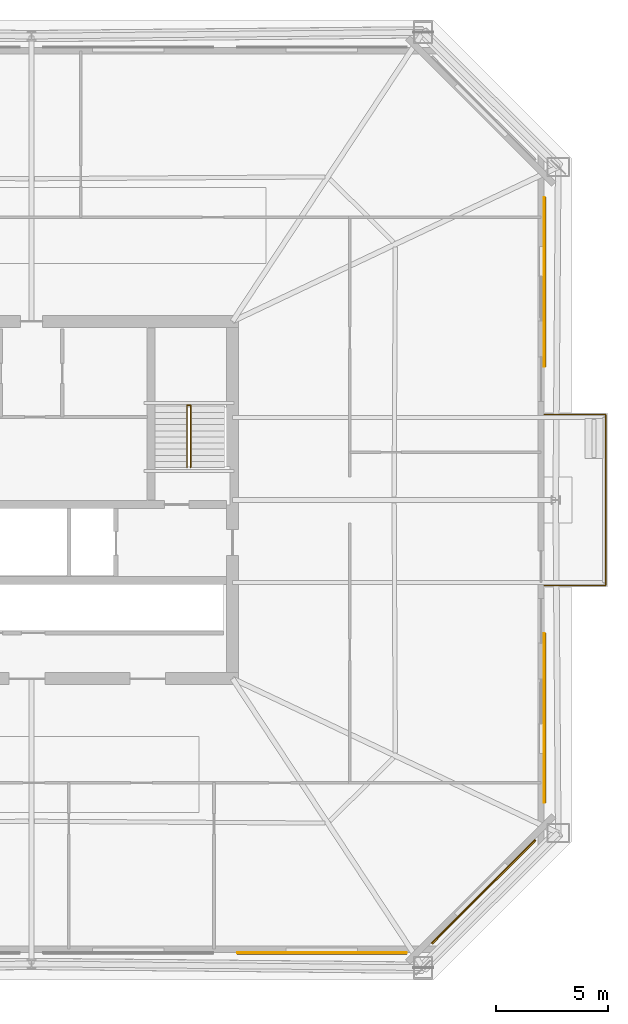
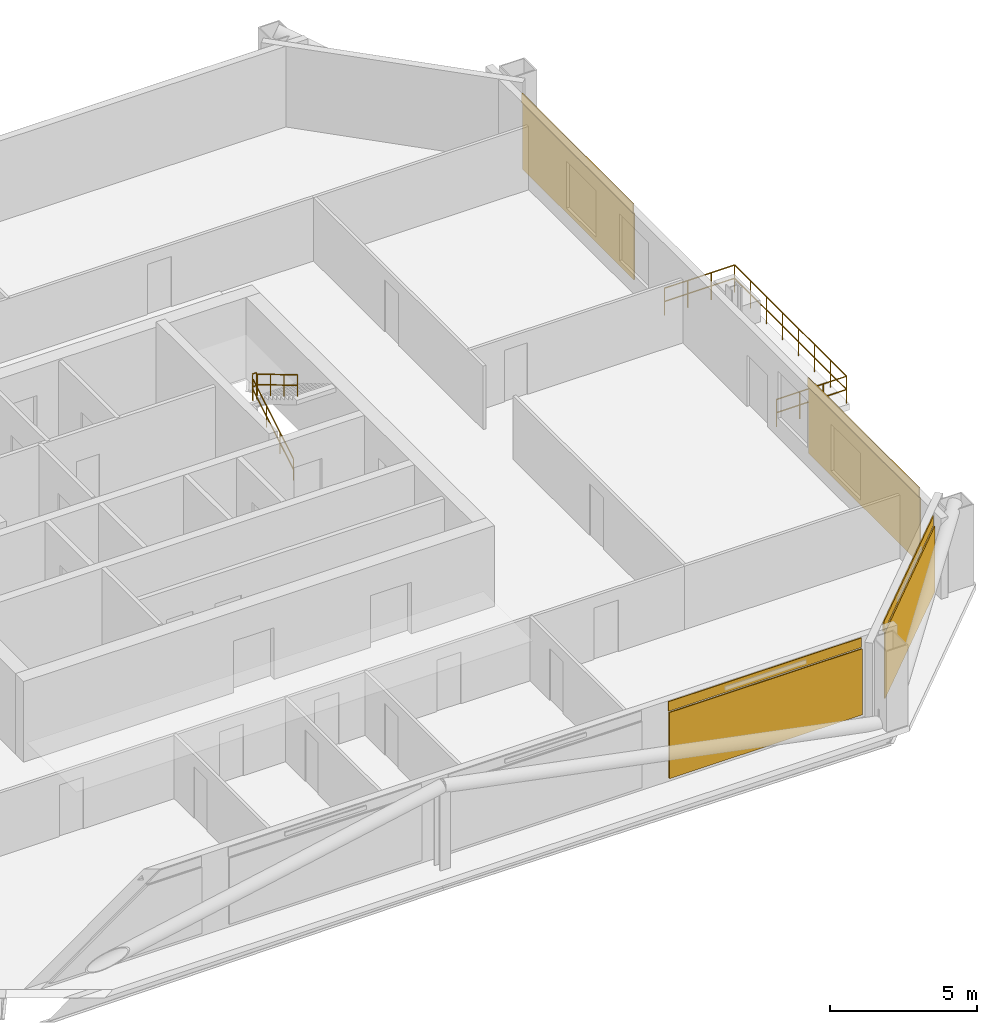
# One storey, part 7 of 8: 4 coverings, 4 railings, 4 shading devices.
"""IFC4 building model written with IfcOpenShell, lengths in metres."""

from ifc_helpers import new_model, si_unit, direction, frame, origin, origin_2d, place, context, subcontext, project, spatial, rectangle, circle, extrude, material, layer, layer_set, type_object, element, save


model = new_model("IFC4")

# Units and contexts
model_context = context("Model", 3, precision=1e-05, world=origin(), true_north=direction((0.0, 1.0)))
body_context = subcontext(model_context, "Body", "Model", "MODEL_VIEW")
ifc_project = project(units=[si_unit("LENGTHUNIT", "METRE"), si_unit("AREAUNIT", "SQUARE_METRE"), si_unit("VOLUMEUNIT", "CUBIC_METRE"), si_unit("PLANEANGLEUNIT", "RADIAN"), si_unit("MASSUNIT", "GRAM", prefix="KILO")], contexts=[model_context])

# Site, building, storey
site_placement = place(None, origin())
site = spatial("IfcSite", under=ifc_project, at=site_placement, CompositionType="ELEMENT")
building_placement = place(site_placement, origin())
building = spatial("IfcBuilding", under=site, at=building_placement, Name="Caelvoria Tower", CompositionType="ELEMENT")
storey_placement = place(building_placement, frame((0.0, 0.0, 138.39990234375)))
storey = spatial("IfcBuildingStorey", under=building, at=storey_placement, Name="L36", CompositionType="ELEMENT", Elevation=138.39990234375)

# Railing
ifc_material_1 = material(Name="Bronze Anodised Aluminium and Stainless Steel", Category="steel")
railing_type_1 = type_object("IfcRailingType", Name="Exterior Terrace and Balcony Guardrail 1150", PredefinedType="GUARDRAIL", material=ifc_material_1)
railing_1_placement = place(storey_placement, frame((68.9599609375, 28.179931640625, 0.0)))
element("IfcRailing", 1, at=railing_1_placement, inside=storey, type_object=railing_type_1, Name="Tree Balcony Guardrail TB-L36-E", PredefinedType="GUARDRAIL", context=body_context, shape_type="SweptSolid", body=[
    extrude(circle(Radius=0.02392578125, at=origin_2d()), frame((0.0, 0.0, 1.1259765625), z_axis=(1.0, 0.0, 0.0), x_axis=(0.0, 1.0, 0.0)), (0.0, 0.0, 1.0), 2.760009765625),
    extrude(circle(Radius=0.02392578125, at=origin_2d()), frame((0.0, 0.0, 0.574951171875), z_axis=(1.0, 0.0, 0.0), x_axis=(0.0, 1.0, 0.0)), (0.0, 0.0, 1.0), 2.760009765625),
    extrude(circle(Radius=0.02392578125, at=origin_2d()), frame((2.760009765625, 0.0, 1.1259765625), z_axis=(0.0, 1.0, 0.0), x_axis=(-1.0, 0.0, 0.0)), (0.0, 0.0, 1.0), 7.64013671875),
    extrude(circle(Radius=0.02392578125, at=origin_2d()), frame((2.760009765625, 0.0, 0.574951171875), z_axis=(0.0, 1.0, 0.0), x_axis=(-1.0, 0.0, 0.0)), (0.0, 0.0, 1.0), 7.64013671875),
    extrude(circle(Radius=0.02392578125, at=origin_2d()), frame((2.760009765625, 7.64013671875, 1.1259765625), z_axis=(-1.0, 0.0, 0.0), x_axis=(0.0, -1.0, 0.0)), (0.0, 0.0, 1.0), 2.760009765625),
    extrude(circle(Radius=0.02392578125, at=origin_2d()), frame((2.760009765625, 7.64013671875, 0.574951171875), z_axis=(-1.0, 0.0, 0.0), x_axis=(0.0, -1.0, 0.0)), (0.0, 0.0, 1.0), 2.760009765625),
    extrude(circle(Radius=0.02099609375, at=origin_2d()), origin(), (0.0, 0.0, 1.0), 1.101806640625),
    extrude(circle(Radius=0.02099609375, at=origin_2d()), frame((0.919921875, 0.0, 0.0)), (0.0, 0.0, 1.0), 1.101806640625),
    extrude(circle(Radius=0.02099609375, at=origin_2d()), frame((1.840087890625, 0.0, 0.0)), (0.0, 0.0, 1.0), 1.101806640625),
    extrude(circle(Radius=0.02099609375, at=origin_2d()), frame((2.760009765625, 0.0, 0.0)), (0.0, 0.0, 1.0), 1.101806640625),
    extrude(circle(Radius=0.02099609375, at=origin_2d()), frame((2.760009765625, 1.091552734375, 0.0)), (0.0, 0.0, 1.0), 1.101806640625),
    extrude(circle(Radius=0.02099609375, at=origin_2d()), frame((2.760009765625, 2.182861328125, 0.0)), (0.0, 0.0, 1.0), 1.101806640625),
    extrude(circle(Radius=0.02099609375, at=origin_2d()), frame((2.760009765625, 3.2744140625, 0.0)), (0.0, 0.0, 1.0), 1.101806640625),
    extrude(circle(Radius=0.02099609375, at=origin_2d()), frame((2.760009765625, 4.36572265625, 0.0)), (0.0, 0.0, 1.0), 1.101806640625),
    extrude(circle(Radius=0.02099609375, at=origin_2d()), frame((2.760009765625, 5.457275390625, 0.0)), (0.0, 0.0, 1.0), 1.101806640625),
    extrude(circle(Radius=0.02099609375, at=origin_2d()), frame((2.760009765625, 6.548583984375, 0.0)), (0.0, 0.0, 1.0), 1.101806640625),
    extrude(circle(Radius=0.02099609375, at=origin_2d()), frame((2.760009765625, 7.64013671875, 0.0)), (0.0, 0.0, 1.0), 1.101806640625),
    extrude(circle(Radius=0.02099609375, at=origin_2d()), frame((1.840087890625, 7.64013671875, 0.0)), (0.0, 0.0, 1.0), 1.101806640625),
    extrude(circle(Radius=0.02099609375, at=origin_2d()), frame((0.919921875, 7.64013671875, 0.0)), (0.0, 0.0, 1.0), 1.101806640625),
    extrude(circle(Radius=0.02099609375, at=origin_2d()), frame((0.0, 7.64013671875, 0.0)), (0.0, 0.0, 1.0), 1.101806640625),
])

# Coverings
ifc_material_2 = material(Name="Perforated Architectural Bronze Cladding Screen", Category="bronze")
ifc_layer_1 = layer(ifc_material_2, 0.0400390625, Name="Perforated Architectural Bronze Cladding Screen")
ifc_layer_set_1 = layer_set([ifc_layer_1], Name="Perforated Bronze Louvre Cladding Band 40 - Perforated Architectural Bronze Cladding Screen")
covering_type = type_object("IfcCoveringType", Name="Perforated Bronze Louvre Cladding Band 40", PredefinedType="CLADDING", material=ifc_layer_set_1)
covering_1_placement = place(storey_placement, frame((59.0048828125, 11.72802734375, 2.940185546875), z_axis=(0.0, 0.0, 1.0), x_axis=(1.0, 0.0, 0.0)))
element("IfcCovering", 2, at=covering_1_placement, inside=storey, type_object=covering_type, Name="Perforated Bronze Screen Band L36-E0-03", PredefinedType="CLADDING", context=body_context, shape_type="SweptSolid", body=[
    extrude(rectangle(XDim=7.60009765625, YDim=0.0400390625, at=origin_2d()), origin(), (0.0, 0.0, 1.0), 0.39990234375),
])
covering_2_placement = place(storey_placement, frame((66.231689453125, 14.46826171875, 2.940185546875), z_axis=(0.0, 0.0, 1.0), x_axis=(0.707106781187, 0.707106781187, 0.0)))
element("IfcCovering", 3, at=covering_2_placement, inside=storey, type_object=covering_type, Name="Perforated Bronze Screen Band L36-E1-00", PredefinedType="CLADDING", context=body_context, shape_type="SweptSolid", body=[
    extrude(rectangle(XDim=6.55419921875, YDim=0.0400390625, at=origin_2d()), origin(), (0.0, 0.0, 1.0), 0.39990234375),
])
for number, where, z_axis, x_axis, name in (
    (4, (68.971923828125, 22.239990234375, 2.940185546875), (0.0, 0.0, 1.0), (0.0, 1.0, 0.0), "Perforated Bronze Screen Band L36-E2-00"),
    (5, (68.971923828125, 41.760009765625, 2.940185546875), (0.0, 0.0, 1.0), (0.0, 1.0, 0.0), "Perforated Bronze Screen Band L36-E2-02"),
):
    element("IfcCovering", number, at=place(storey_placement, frame(where, z_axis=z_axis, x_axis=x_axis)), inside=storey, type_object=covering_type, Name=name, PredefinedType="CLADDING", context=body_context, shape_type="SweptSolid", body=[
        extrude(rectangle(XDim=7.60009765625, YDim=0.0400390625, at=origin_2d()), origin(), (0.0, 0.0, 1.0), 0.39990234375),
    ])

# Shading devices
ifc_material_3 = material(Name="Perforated Architectural Bronze Alloy Panel", Category="bronze")
ifc_layer_2 = layer(ifc_material_3, 0.044921875, Name="Perforated Architectural Bronze Alloy Panel")
ifc_layer_set_2 = layer_set([ifc_layer_2], Name="Perforated Bronze Solar Screen Panel SCREEN - Perforated Architectural Bronze Alloy Panel")
shading_device_type = type_object("IfcShadingDeviceType", Name="Perforated Bronze Solar Screen Panel SCREEN", PredefinedType="USERDEFINED", material=ifc_layer_set_2)
shading_device_1_placement = place(storey_placement, frame((59.0048828125, 11.68505859375, 0.16015625), z_axis=(0.0, 0.0, 1.0), x_axis=(1.0, 0.0, 0.0)))
element("IfcShadingDevice", 6, at=shading_device_1_placement, inside=storey, type_object=shading_device_type, Name="Perforated Bronze Solar Screen L36-E0-03", ObjectType="SCREEN", PredefinedType="USERDEFINED", context=body_context, shape_type="SweptSolid", body=[
    extrude(rectangle(XDim=7.60009765625, YDim=0.044921875, at=origin_2d()), origin(), (0.0, 0.0, 1.0), 2.75),
])
shading_device_2_placement = place(storey_placement, frame((66.26220703125, 14.43798828125, 0.16015625), z_axis=(0.0, 0.0, 1.0), x_axis=(0.707106781187, 0.707106781187, 0.0)))
element("IfcShadingDevice", 7, at=shading_device_2_placement, inside=storey, type_object=shading_device_type, Name="Perforated Bronze Solar Screen L36-E1-00", ObjectType="SCREEN", PredefinedType="USERDEFINED", context=body_context, shape_type="SweptSolid", body=[
    extrude(rectangle(XDim=6.55419921875, YDim=0.044921875, at=origin_2d()), origin(), (0.0, 0.0, 1.0), 2.75),
])
for number, where, z_axis, x_axis, name in (
    (8, (69.014892578125, 22.239990234375, 0.16015625), (0.0, 0.0, 1.0), (0.0, 1.0, 0.0), "Perforated Bronze Solar Screen L36-E2-00"),
    (9, (69.014892578125, 41.760009765625, 0.16015625), (0.0, 0.0, 1.0), (0.0, 1.0, 0.0), "Perforated Bronze Solar Screen L36-E2-02"),
):
    element("IfcShadingDevice", number, at=place(storey_placement, frame(where, z_axis=z_axis, x_axis=x_axis)), inside=storey, type_object=shading_device_type, Name=name, ObjectType="SCREEN", PredefinedType="USERDEFINED", context=body_context, shape_type="SweptSolid", body=[
        extrude(rectangle(XDim=7.60009765625, YDim=0.044921875, at=origin_2d()), origin(), (0.0, 0.0, 1.0), 2.75),
    ])

# Railings
ifc_material_4 = material(Name="Brushed Stainless Steel Tube", Category="steel")
railing_type_2 = type_object("IfcRailingType", Name="Stair Tubular Stainless Handrail 920", PredefinedType="HANDRAIL", material=ifc_material_4)
railing_2_placement = place(storey_placement, frame((52.969970703125, 33.449951171875, 0.163818359375)))
element("IfcRailing", 10, at=railing_2_placement, inside=storey, type_object=railing_type_2, Name="ST-02 Flight 1 Handrail L36", PredefinedType="HANDRAIL", context=body_context, shape_type="SweptSolid", body=[
    extrude(circle(Radius=0.02392578125, at=origin_2d()), frame((0.0, 0.0, 0.89599609375), z_axis=(0.0, 0.859385484447, 0.511328259656), x_axis=(-1.0, 0.0, 0.0)), (0.0, 0.0, 1.0), 3.199951171875),
    extrude(circle(Radius=0.02392578125, at=origin_2d()), frame((0.0, 0.0, 0.4599609375), z_axis=(0.0, 0.859385484447, 0.511328259656), x_axis=(-1.0, 0.0, 0.0)), (0.0, 0.0, 1.0), 3.199951171875),
    extrude(circle(Radius=0.02099609375, at=origin_2d()), origin(), (0.0, 0.0, 1.0), 0.871826171875),
    extrude(circle(Radius=0.02099609375, at=origin_2d()), frame((0.0, 0.916748046875, 0.54541015625)), (0.0, 0.0, 1.0), 0.871826171875),
    extrude(circle(Radius=0.02099609375, at=origin_2d()), frame((0.0, 1.833251953125, 1.0908203125)), (0.0, 0.0, 1.0), 0.871826171875),
    extrude(circle(Radius=0.02099609375, at=origin_2d()), frame((0.0, 2.75, 1.63623046875)), (0.0, 0.0, 1.0), 0.871826171875),
])
railing_3_placement = place(storey_placement, frame((53.1298828125, 36.199951171875, 1.963623046875)))
element("IfcRailing", 11, at=railing_3_placement, inside=storey, type_object=railing_type_2, Name="ST-02 Flight 2 Handrail L36", PredefinedType="HANDRAIL", context=body_context, shape_type="SweptSolid", body=[
    extrude(circle(Radius=0.02392578125, at=origin_2d()), frame((0.0, 0.0, 0.89599609375), z_axis=(0.0, -0.859351957796, 0.511384603436), x_axis=(1.0, 0.0, 0.0)), (0.0, 0.0, 1.0), 3.2001953125),
    extrude(circle(Radius=0.02392578125, at=origin_2d()), frame((0.0, 0.0, 0.4599609375), z_axis=(0.0, -0.859351957796, 0.511384603436), x_axis=(1.0, 0.0, 0.0)), (0.0, 0.0, 1.0), 3.2001953125),
    extrude(circle(Radius=0.02099609375, at=origin_2d()), origin(), (0.0, 0.0, 1.0), 0.871826171875),
    extrude(circle(Radius=0.02099609375, at=origin_2d()), frame((0.0, -0.916748046875, 0.54541015625)), (0.0, 0.0, 1.0), 0.871826171875),
    extrude(circle(Radius=0.02099609375, at=origin_2d()), frame((0.0, -1.833251953125, 1.091064453125)), (0.0, 0.0, 1.0), 0.871826171875),
    extrude(circle(Radius=0.02099609375, at=origin_2d()), frame((0.0, -2.75, 1.636474609375)), (0.0, 0.0, 1.0), 0.871826171875),
])
ifc_material_5 = material(Name="Brushed Stainless Steel Guardrail", Category="steel")
railing_type_3 = type_object("IfcRailingType", Name="Stair Well and Ramp Guardrail 1120", PredefinedType="GUARDRAIL", material=ifc_material_5)
railing_4_placement = place(storey_placement, frame((52.969970703125, 36.239990234375, 1.800048828125)))
element("IfcRailing", 12, at=railing_4_placement, inside=storey, type_object=railing_type_3, Name="ST-02 Half-Landing Well Guard L36", PredefinedType="GUARDRAIL", context=body_context, shape_type="SweptSolid", body=[
    extrude(circle(Radius=0.02392578125, at=origin_2d()), frame((0.0, 0.0, 1.09619140625), z_axis=(1.0, 0.0, 0.0), x_axis=(0.0, 1.0, 0.0)), (0.0, 0.0, 1.0), 0.159912109375),
    extrude(circle(Radius=0.02392578125, at=origin_2d()), frame((0.0, 0.0, 0.56005859375), z_axis=(1.0, 0.0, 0.0), x_axis=(0.0, 1.0, 0.0)), (0.0, 0.0, 1.0), 0.159912109375),
    extrude(circle(Radius=0.02099609375, at=origin_2d()), origin(), (0.0, 0.0, 1.0), 1.072021484375),
    extrude(circle(Radius=0.02099609375, at=origin_2d()), frame((0.159912109375, 0.0, 0.0)), (0.0, 0.0, 1.0), 1.072021484375),
])

save(model, "model.ifc")
